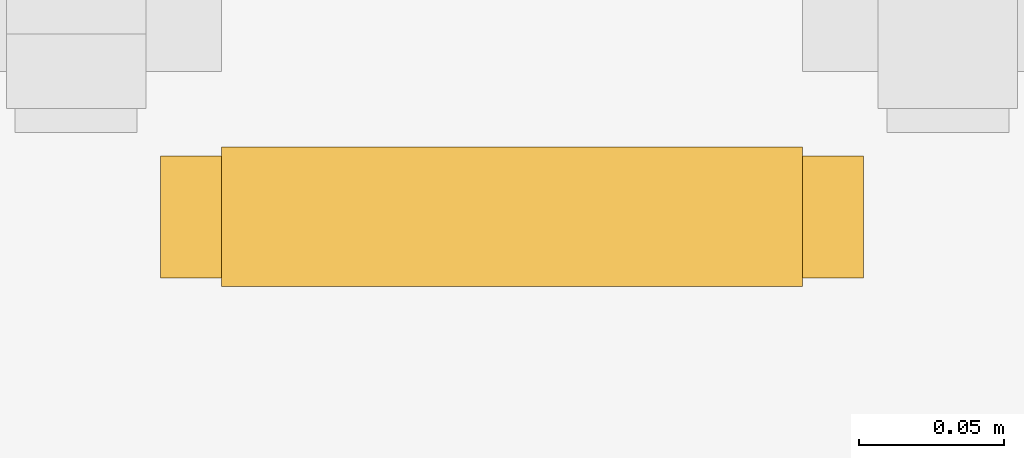
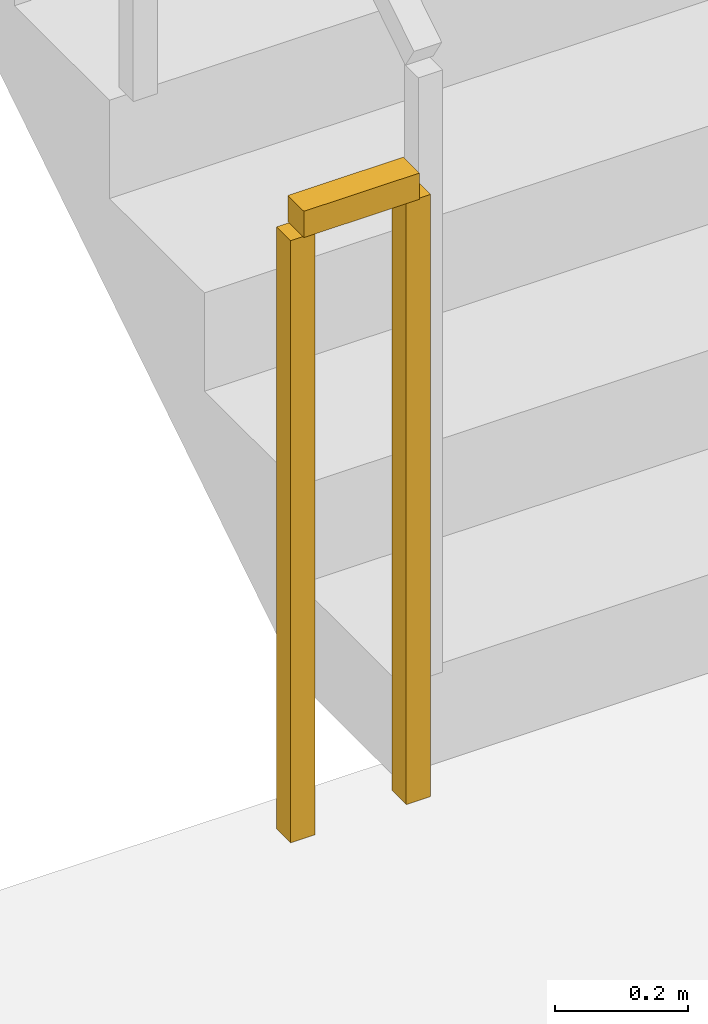
# One storey, part 22 of 24: 1 railing.
"""IFC4 building model written with IfcOpenShell, lengths in metres."""

from ifc_helpers import new_model, si_unit, direction, frame, origin, origin_2d, place, context, subcontext, project, spatial, rectangle, extrude, material, type_object, element, save


model = new_model("IFC4")

# Units and contexts
model_context = context("Model", 3, precision=1e-05, world=origin(), true_north=direction((0.0, 1.0)))
body_context = subcontext(model_context, "Body", "Model", "MODEL_VIEW")
ifc_project = project(units=[si_unit("LENGTHUNIT", "METRE"), si_unit("AREAUNIT", "SQUARE_METRE"), si_unit("VOLUMEUNIT", "CUBIC_METRE"), si_unit("PLANEANGLEUNIT", "RADIAN"), si_unit("MASSUNIT", "GRAM", prefix="KILO")], contexts=[model_context])

# Site, building, storey
site_placement = place(None, origin())
site = spatial("IfcSite", under=ifc_project, at=site_placement, CompositionType="ELEMENT")
building_placement = place(site_placement, origin())
building = spatial("IfcBuilding", under=site, at=building_placement, Name="Sarneth Arch Tower", CompositionType="ELEMENT")
storey_placement = place(building_placement, frame((0.0, 0.0, 91.199951171875)))
storey = spatial("IfcBuildingStorey", under=building, at=storey_placement, Name="L22", CompositionType="ELEMENT", Elevation=91.199951171875)

# Railing
ifc_material = material(Name="Painted Steel S275 stair well guard", Category="steel")
railing_type = type_object("IfcRailingType", Name="RAIL-STAIR-GUARD", PredefinedType="GUARDRAIL", material=ifc_material)
railing_placement = place(storey_placement, frame((39.050048828125, 41.39990234375, 0.0)))
element("IfcRailing", 1, at=railing_placement, inside=storey, type_object=railing_type, Name="L22 ST-1 stair guard 4", PredefinedType="GUARDRAIL", context=body_context, shape_type="SweptSolid", body=[
    extrude(rectangle(XDim=0.048095703125, YDim=0.048095703125, at=origin_2d()), frame((0.0, 0.0, 1.1259765625), z_axis=(-1.0, 0.0, 0.0), x_axis=(0.0, -1.0, 0.0)), (0.0, 0.0, 1.0), 0.199951171875),
    extrude(rectangle(XDim=0.0419921875, YDim=0.0419921875, at=origin_2d()), origin(), (0.0, 0.0, 1.0), 1.101806640625),
    extrude(rectangle(XDim=0.0419921875, YDim=0.0419921875, at=origin_2d()), frame((-0.199951171875, 0.0, 0.0)), (0.0, 0.0, 1.0), 1.101806640625),
])

save(model, "model.ifc")
